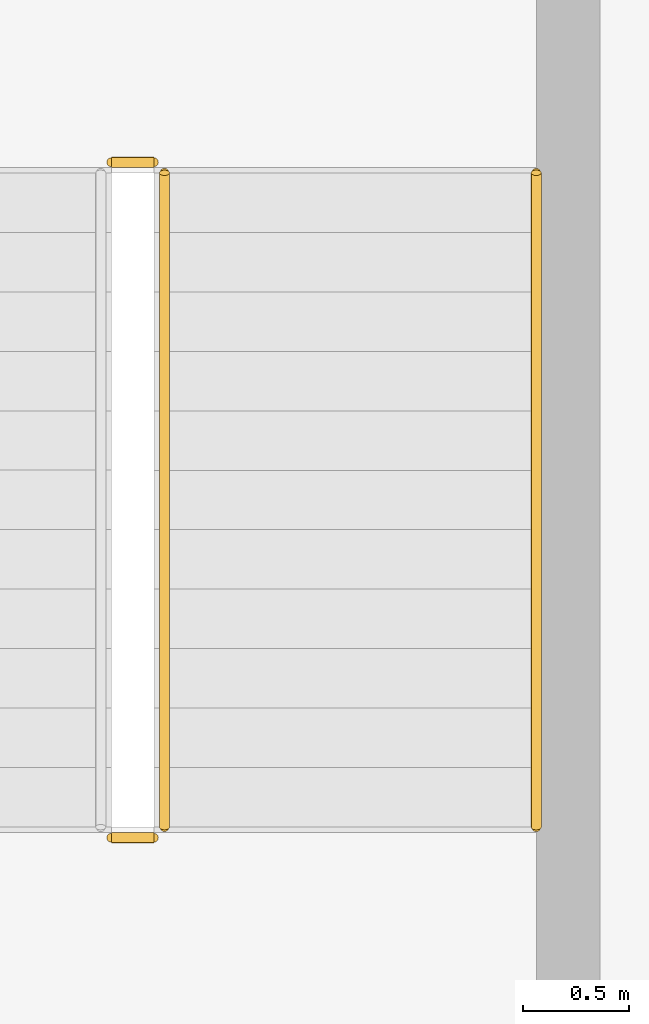
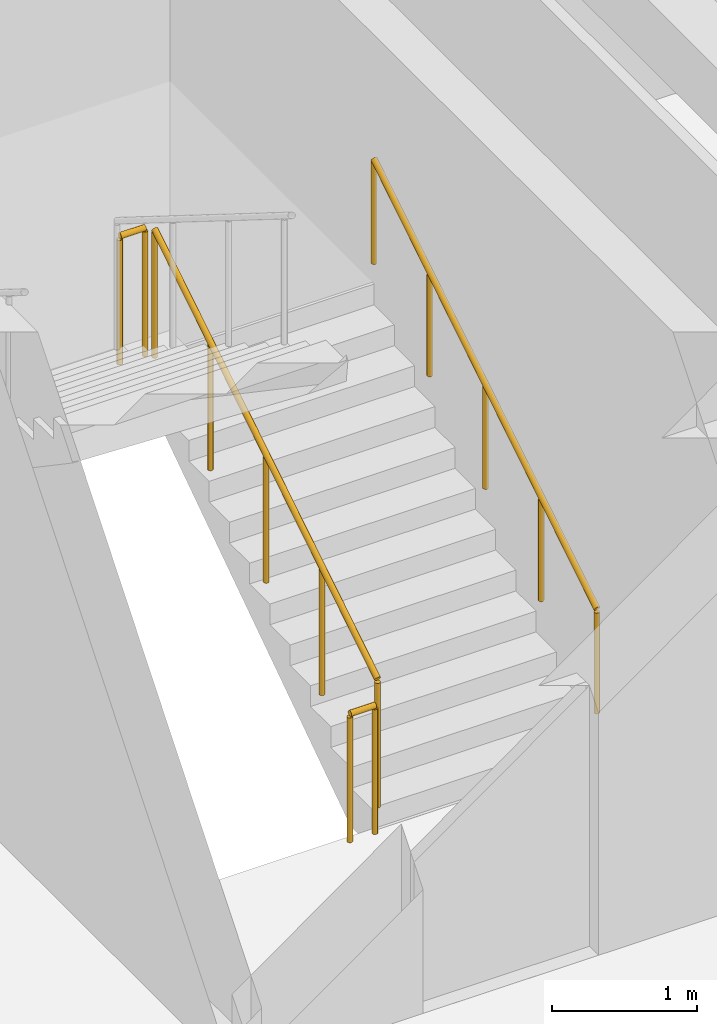
# One storey, part 28 of 28: 4 railings.
"""IFC4 building model written with IfcOpenShell, lengths in metres."""

from ifc_helpers import new_model, si_unit, direction, frame, origin, origin_2d, place, context, subcontext, project, spatial, circle, extrude, material, type_object, element, save


model = new_model("IFC4")

# Units and contexts
model_context = context("Model", 3, precision=1e-05, world=origin(), true_north=direction((0.0, 1.0)))
body_context = subcontext(model_context, "Body", "Model", "MODEL_VIEW")
ifc_project = project(units=[si_unit("LENGTHUNIT", "METRE"), si_unit("AREAUNIT", "SQUARE_METRE"), si_unit("VOLUMEUNIT", "CUBIC_METRE"), si_unit("PLANEANGLEUNIT", "RADIAN"), si_unit("MASSUNIT", "GRAM", prefix="KILO")], contexts=[model_context])

# Site, building, storey
site_placement = place(None, origin())
site = spatial("IfcSite", under=ifc_project, at=site_placement, CompositionType="ELEMENT")
building_placement = place(site_placement, origin())
building = spatial("IfcBuilding", under=site, at=building_placement, Name="Varncliffe General Hospital", CompositionType="ELEMENT")
storey_placement = place(building_placement, frame((0.0, 0.0, 24.60009765625)))
storey = spatial("IfcBuildingStorey", under=building, at=storey_placement, Name="L05", CompositionType="ELEMENT", Elevation=24.60009765625)

# Railings
ifc_material = material(Name="Powder-coated hospital steel guardrail and handrail", Category="steel")
railing_type_1 = type_object("IfcRailingType", Name="Stair and Ramp Handrail HR46", PredefinedType="HANDRAIL", material=ifc_material)
railing_1_placement = place(storey_placement, frame((165.949951171875, 118.0, 0.35400390625)))
element("IfcRailing", 1, at=railing_1_placement, inside=storey, type_object=railing_type_1, Name="L05 ST04 stair handrail 1", PredefinedType="HANDRAIL", context=body_context, shape_type="SweptSolid", body=[
    extrude(circle(Radius=0.02392578125, at=origin_2d()), frame((0.0, 0.0, 0.8759765625), z_axis=(0.0, 0.848028513186, 0.529950602248), x_axis=(-1.0, 0.0, 0.0)), (0.0, 0.0, 1.0), 3.632080078125),
    extrude(circle(Radius=0.02099609375, at=origin_2d()), origin(), (0.0, 0.0, 1.0), 0.851806640625),
    extrude(circle(Radius=0.02099609375, at=origin_2d()), frame((0.0, 0.77001953125, 0.481201171875)), (0.0, 0.0, 1.0), 0.851806640625),
    extrude(circle(Radius=0.02099609375, at=origin_2d()), frame((0.0, 1.5400390625, 0.96240234375)), (0.0, 0.0, 1.0), 0.851806640625),
    extrude(circle(Radius=0.02099609375, at=origin_2d()), frame((0.0, 2.31005859375, 1.443603515625)), (0.0, 0.0, 1.0), 0.851806640625),
    extrude(circle(Radius=0.02099609375, at=origin_2d()), frame((0.0, 3.080078125, 1.9248046875)), (0.0, 0.0, 1.0), 0.851806640625),
])
railing_type_2 = type_object("IfcRailingType", Name="Stairwell Guardrail SG49", PredefinedType="GUARDRAIL", material=ifc_material)
railing_2_placement = place(storey_placement, frame((164.199951171875, 118.0, 0.1748046875)))
element("IfcRailing", 2, at=railing_2_placement, inside=storey, type_object=railing_type_2, Name="L05 ST04 stair guard 1", PredefinedType="GUARDRAIL", context=body_context, shape_type="SweptSolid", body=[
    extrude(circle(Radius=0.02392578125, at=origin_2d()), frame((0.0, 0.0, 1.076171875), z_axis=(0.0, 0.847998304005, 0.529998940003), x_axis=(-1.0, 0.0, 0.0)), (0.0, 0.0, 1.0), 3.632080078125),
    extrude(circle(Radius=0.02099609375, at=origin_2d()), origin(), (0.0, 0.0, 1.0), 1.052001953125),
    extrude(circle(Radius=0.02099609375, at=origin_2d()), frame((0.0, 0.77001953125, 0.481201171875)), (0.0, 0.0, 1.0), 1.052001953125),
    extrude(circle(Radius=0.02099609375, at=origin_2d()), frame((0.0, 1.5400390625, 0.96240234375)), (0.0, 0.0, 1.0), 1.052001953125),
    extrude(circle(Radius=0.02099609375, at=origin_2d()), frame((0.0, 2.31005859375, 1.44384765625)), (0.0, 0.0, 1.0), 1.052001953125),
    extrude(circle(Radius=0.02099609375, at=origin_2d()), frame((0.0, 3.080078125, 1.925048828125)), (0.0, 0.0, 1.0), 1.052001953125),
])
for number, where, name in (
    (3, (164.14990234375, 121.1298828125, 2.099853515625), "L05 ST04 stair guard 2"),
    (4, (164.14990234375, 117.949951171875, 0.0), "L05 ST04 stair guard 4"),
):
    element("IfcRailing", number, at=place(storey_placement, frame(where)), inside=storey, type_object=railing_type_2, Name=name, PredefinedType="GUARDRAIL", context=body_context, shape_type="SweptSolid", body=[
        extrude(circle(Radius=0.02392578125, at=origin_2d()), frame((0.0, 0.0, 1.076171875), z_axis=(-1.0, 0.0, 0.0), x_axis=(0.0, -1.0, 0.0)), (0.0, 0.0, 1.0), 0.199951171875),
        extrude(circle(Radius=0.02099609375, at=origin_2d()), origin(), (0.0, 0.0, 1.0), 1.052001953125),
        extrude(circle(Radius=0.02099609375, at=origin_2d()), frame((-0.199951171875, 0.0, 0.0)), (0.0, 0.0, 1.0), 1.052001953125),
    ])

save(model, "model.ifc")
